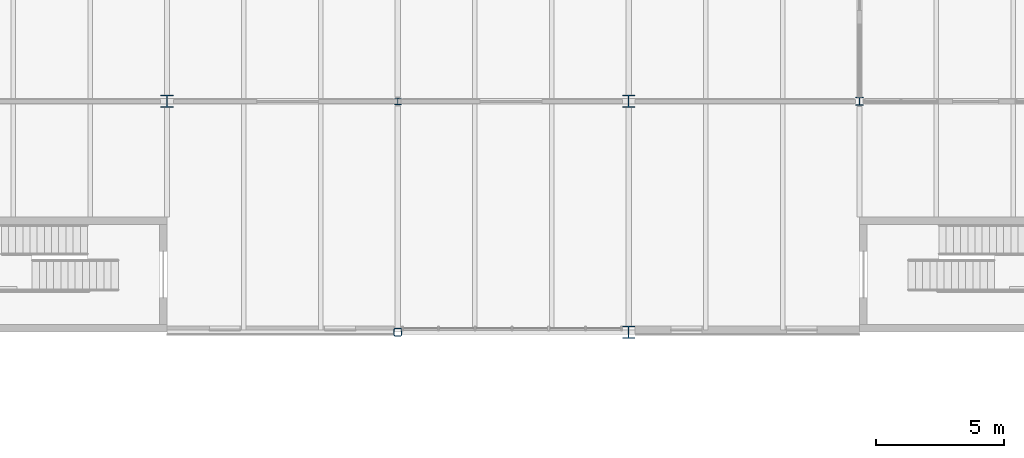
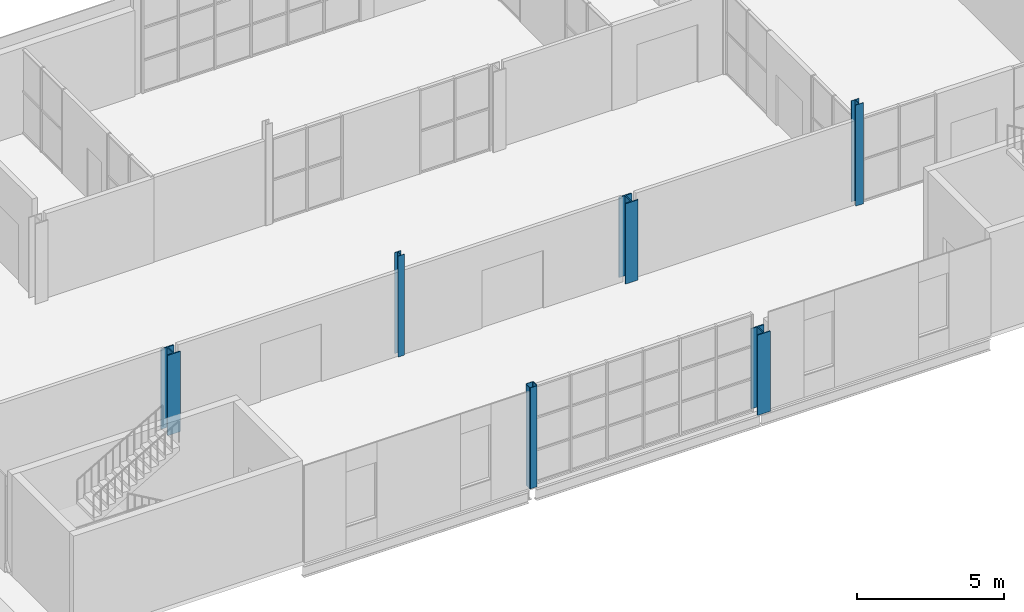
# One storey, part 2 of 61: 6 columns.
"""IFC4 building model written with IfcOpenShell, lengths in metres."""

from ifc_helpers import new_model, si_unit, direction, frame, origin, origin_2d, place, context, subcontext, project, spatial, hollow_rectangle, i_section, extrude, material, material_profile, profile_set, type_object, element, save


model = new_model("IFC4")

# Units and contexts
model_context = context("Model", 3, precision=1e-05, world=origin(), true_north=direction((0.0, 1.0)))
body_context = subcontext(model_context, "Body", "Model", "MODEL_VIEW")
ifc_project = project(units=[si_unit("LENGTHUNIT", "METRE"), si_unit("AREAUNIT", "SQUARE_METRE"), si_unit("VOLUMEUNIT", "CUBIC_METRE"), si_unit("PLANEANGLEUNIT", "RADIAN"), si_unit("MASSUNIT", "GRAM", prefix="KILO")], contexts=[model_context])

# Site, building, storey
site_placement = place(None, origin())
site = spatial("IfcSite", under=ifc_project, at=site_placement, CompositionType="ELEMENT")
building_placement = place(site_placement, origin())
building = spatial("IfcBuilding", under=site, at=building_placement, Name="Halyard Row Museum", CompositionType="ELEMENT")
storey_placement = place(building_placement, frame((0.0, 0.0, 9.199951171875)))
storey = spatial("IfcBuildingStorey", under=building, at=storey_placement, Name="L02", CompositionType="ELEMENT", Elevation=9.199951171875)

# Columns
ifc_material_1 = material(Name="Steel Grade 300", Category="steel")
ifc_material_profile_1 = material_profile(ifc_material_1, i_section(OverallWidth=0.25390625, OverallDepth=0.25390625, WebThickness=0.008544921875, FlangeThickness=0.01416015625, FilletRadius=0.013916015625, at=origin_2d()), Name="250UC72.9")
ifc_profile_set_1 = profile_set([ifc_material_profile_1], Name="Steel Grade 300")
column_type_1 = type_object("IfcColumnType", Name="Column 250UC72.9 interior", PredefinedType="COLUMN", material=ifc_profile_set_1)
column_1_placement = place(storey_placement, frame((45.0, 27.0, 0.0), z_axis=(0.0, 0.0, 1.0), x_axis=(1.0, 0.0, 0.0)))
element("IfcColumn", 1, at=column_1_placement, inside=storey, type_object=column_type_1, Name="Column 6D L02", PredefinedType="COLUMN", context=body_context, shape_type="SweptSolid", body=[
    extrude(i_section(OverallWidth=0.25390625, OverallDepth=0.25390625, WebThickness=0.008544921875, FlangeThickness=0.01416015625, FilletRadius=0.013916015625, at=origin_2d()), origin(), (0.0, 0.0, 1.0), 4.199951171875),
])
ifc_material_2 = material(Name="Steel Grade C350L0", Category="steel")
ifc_material_profile_2 = material_profile(ifc_material_2, hollow_rectangle(XDim=0.300048828125, YDim=0.300048828125, WallThickness=0.01611328125, InnerFilletRadius=0.02392578125, OuterFilletRadius=0.0400390625, at=origin_2d()), Name="300x300x16.0SHS")
ifc_profile_set_2 = profile_set([ifc_material_profile_2], Name="Steel Grade C350L0")
column_type_2 = type_object("IfcColumnType", Name="Column 300x300x16.0SHS edge", PredefinedType="COLUMN", material=ifc_profile_set_2)
column_2_placement = place(storey_placement, frame((45.0, 18.0, 0.0), z_axis=(0.0, 0.0, 1.0), x_axis=(1.0, 0.0, 0.0)))
element("IfcColumn", 2, at=column_2_placement, inside=storey, type_object=column_type_2, Name="Column 6C L02", PredefinedType="COLUMN", context=body_context, shape_type="SweptSolid", body=[
    extrude(hollow_rectangle(XDim=0.300048828125, YDim=0.300048828125, WallThickness=0.01611328125, InnerFilletRadius=0.02392578125, OuterFilletRadius=0.0400390625, at=origin_2d()), origin(), (0.0, 0.0, 1.0), 4.199951171875),
])
ifc_material_3 = material(Name="Steel Grade 300", Category="steel")
ifc_material_profile_3 = material_profile(ifc_material_3, i_section(OverallWidth=0.304931640625, OverallDepth=0.30810546875, WebThickness=0.010009765625, FlangeThickness=0.015380859375, FilletRadius=0.0166015625, at=origin_2d()), Name="310UC96.8")
ifc_profile_set_3 = profile_set([ifc_material_profile_3], Name="Steel Grade 300")
column_type_3 = type_object("IfcColumnType", Name="Column 310UC96.8 interior", PredefinedType="COLUMN", material=ifc_profile_set_3)
column_3_placement = place(storey_placement, frame((63.0, 27.0, 0.0), z_axis=(0.0, 0.0, 1.0), x_axis=(1.0, 0.0, 0.0)))
element("IfcColumn", 3, at=column_3_placement, inside=storey, type_object=column_type_3, Name="Column 8D L02", PredefinedType="COLUMN", context=body_context, shape_type="SweptSolid", body=[
    extrude(i_section(OverallWidth=0.304931640625, OverallDepth=0.30810546875, WebThickness=0.010009765625, FlangeThickness=0.015380859375, FilletRadius=0.0166015625, at=origin_2d()), origin(), (0.0, 0.0, 1.0), 4.199951171875),
])
ifc_material_4 = material(Name="Steel Grade 300", Category="steel")
ifc_material_profile_4 = material_profile(ifc_material_4, i_section(OverallWidth=0.5, OverallDepth=0.47998046875, WebThickness=0.0400390625, FlangeThickness=0.0400390625, at=origin_2d()), Name="500WC440")
ifc_profile_set_4 = profile_set([ifc_material_profile_4], Name="Steel Grade 300")
column_type_4 = type_object("IfcColumnType", Name="Column 500WC440 truss", PredefinedType="COLUMN", material=ifc_profile_set_4)
for number, where, z_axis, x_axis, name in (
    (4, (54.0, 18.0, 0.0), (0.0, 0.0, 1.0), (1.0, 0.0, 0.0), "Column 7C L02"),
    (5, (36.0, 27.0, 0.0), (0.0, 0.0, 1.0), (1.0, 0.0, 0.0), "Column 5D L02"),
    (6, (54.0, 27.0, 0.0), (0.0, 0.0, 1.0), (1.0, 0.0, 0.0), "Column 7D L02"),
):
    element("IfcColumn", number, at=place(storey_placement, frame(where, z_axis=z_axis, x_axis=x_axis)), inside=storey, type_object=column_type_4, Name=name, PredefinedType="COLUMN", context=body_context, shape_type="SweptSolid", body=[
        extrude(i_section(OverallWidth=0.5, OverallDepth=0.47998046875, WebThickness=0.0400390625, FlangeThickness=0.0400390625, at=origin_2d()), origin(), (0.0, 0.0, 1.0), 3.3349609375),
    ])

save(model, "model.ifc")
